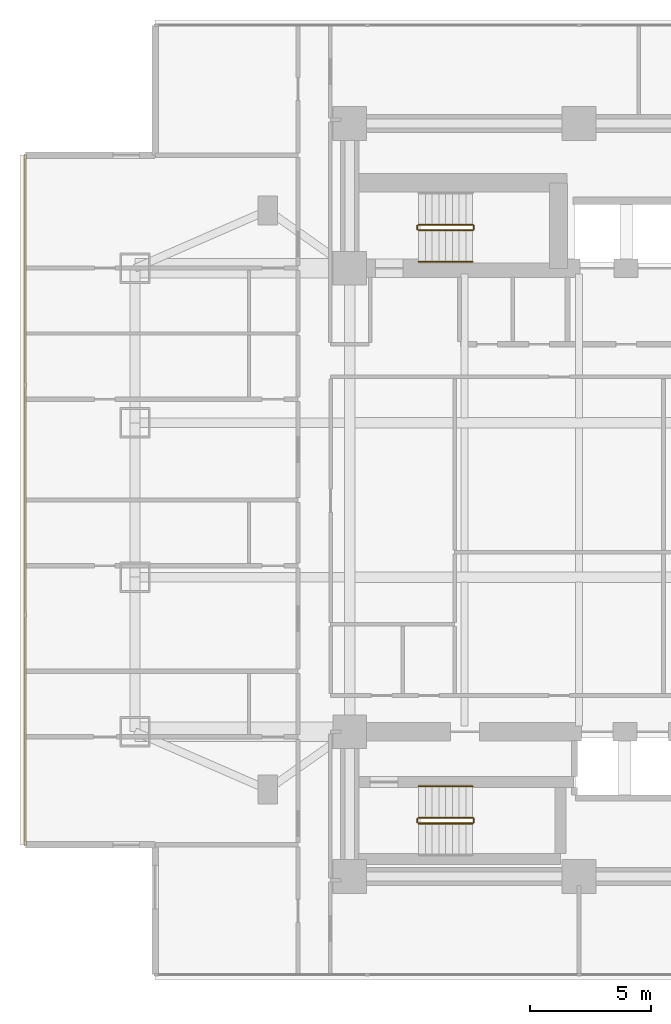
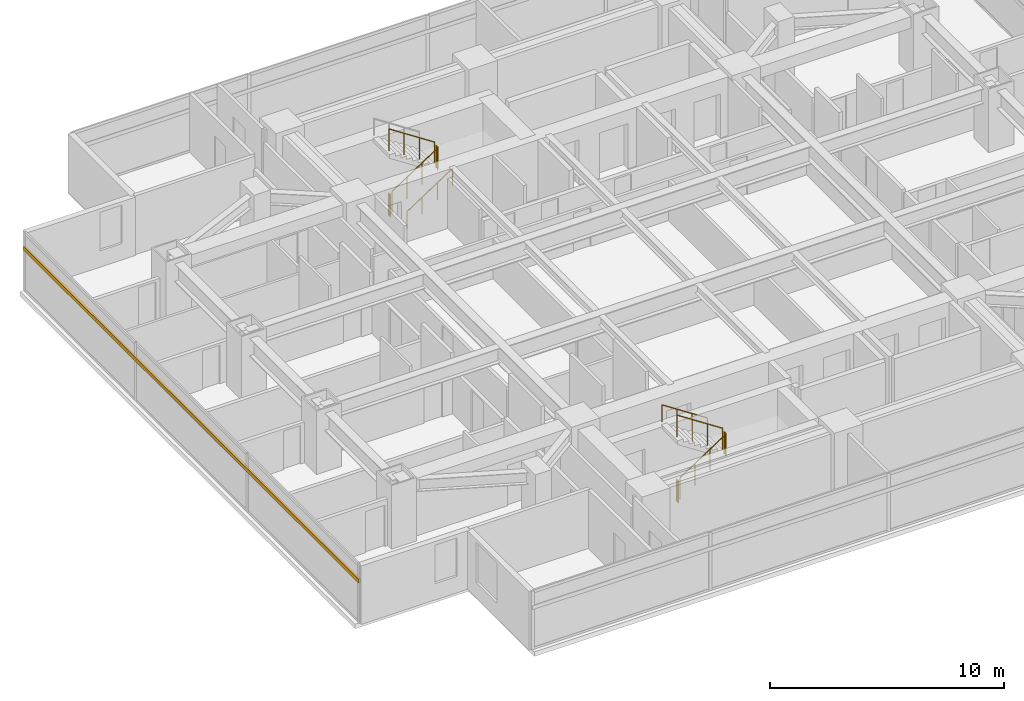
# One storey, part 23 of 26: 10 railings, 1 shading device.
"""IFC4 building model written with IfcOpenShell, lengths in metres."""

from ifc_helpers import new_model, si_unit, direction, frame, origin, origin_2d, place, context, subcontext, project, spatial, rectangle, circle, extrude, material, material_profile, profile_set, type_object, element, save


model = new_model("IFC4")

# Units and contexts
model_context = context("Model", 3, precision=1e-05, world=origin(), true_north=direction((0.0, 1.0)))
body_context = subcontext(model_context, "Body", "Model", "MODEL_VIEW")
ifc_project = project(units=[si_unit("LENGTHUNIT", "METRE"), si_unit("AREAUNIT", "SQUARE_METRE"), si_unit("VOLUMEUNIT", "CUBIC_METRE"), si_unit("PLANEANGLEUNIT", "RADIAN"), si_unit("MASSUNIT", "GRAM", prefix="KILO")], contexts=[model_context])

# Site, building, storey
site_placement = place(None, origin())
site = spatial("IfcSite", under=ifc_project, at=site_placement, CompositionType="ELEMENT")
building_placement = place(site_placement, origin())
building = spatial("IfcBuilding", under=site, at=building_placement, Name="Mirazonda Arch Towers", CompositionType="ELEMENT")
storey_placement = place(building_placement, frame((0.0, 0.0, 45.5)))
storey = spatial("IfcBuildingStorey", under=building, at=storey_placement, Name="L12", CompositionType="ELEMENT", Elevation=45.5)

# Shading device
ifc_material_1 = material(Name="Kiln-Fired Architectural Terracotta", Category="masonry")
ifc_material_profile = material_profile(ifc_material_1, rectangle(XDim=0.10009765625, YDim=0.199951171875, at=origin_2d()), Name="TERRA-BAG-100x200")
ifc_profile_set = profile_set([ifc_material_profile], Name="Kiln-Fired Architectural Terracotta")
shading_device_type = type_object("IfcShadingDeviceType", Name="BAGUETTE-2", PredefinedType="USERDEFINED", material=ifc_profile_set)
shading_device_placement = place(storey_placement, frame((-2.43994140625, 42.285888671875, 2.188720703125), z_axis=(0.0, -1.0, 0.0), x_axis=(1.0, 0.0, 0.0)))
element("IfcShadingDevice", 1, at=shading_device_placement, inside=storey, type_object=shading_device_type, Name="L12 Glazed Terracotta Sun-Screen Baguette CW-L12-T1-W", ObjectType="BAGUETTE", PredefinedType="USERDEFINED", context=body_context, shape_type="SweptSolid", body=[
    extrude(rectangle(XDim=0.10009765625, YDim=0.199951171875, at=origin_2d()), origin(), (0.0, 0.0, 1.0), 28.57177734375),
])

# Railings
ifc_material_2 = material(Name="Architectural Brushed Steel S355", Category="steel")
railing_type_1 = type_object("IfcRailingType", Name="GUARD-STAIR-1120", PredefinedType="GUARDRAIL", material=ifc_material_2)
railing_1_placement = place(storey_placement, frame((13.85009765625, 39.169921875, 0.183349609375)))
element("IfcRailing", 2, at=railing_1_placement, inside=storey, type_object=railing_type_1, Name="L12 ST-T1N stair guard 1", PredefinedType="GUARDRAIL", context=body_context, shape_type="SweptSolid", body=[
    extrude(circle(Radius=0.02392578125, at=origin_2d()), frame((0.0, 0.0, 1.1259765625), z_axis=(0.836636935527, 0.0, 0.547757827979), x_axis=(0.0, 1.0, 0.0)), (0.0, 0.0, 1.0), 2.677490234375),
    extrude(circle(Radius=0.02099609375, at=origin_2d()), origin(), (0.0, 0.0, 1.0), 1.101806640625),
    extrude(circle(Radius=0.02099609375, at=origin_2d()), frame((0.74658203125, 0.0, 0.48876953125)), (0.0, 0.0, 1.0), 1.101806640625),
    extrude(circle(Radius=0.02099609375, at=origin_2d()), frame((1.493408203125, 0.0, 0.977783203125)), (0.0, 0.0, 1.0), 1.101806640625),
    extrude(circle(Radius=0.02099609375, at=origin_2d()), frame((2.239990234375, 0.0, 1.466552734375)), (0.0, 0.0, 1.0), 1.101806640625),
])
railing_2_placement = place(storey_placement, frame((16.139892578125, 39.219970703125, 1.64990234375)))
element("IfcRailing", 3, at=railing_2_placement, inside=storey, type_object=railing_type_1, Name="L12 ST-T1N stair guard 2", PredefinedType="GUARDRAIL", context=body_context, shape_type="SweptSolid", body=[
    extrude(circle(Radius=0.02392578125, at=origin_2d()), frame((0.0, 0.0, 1.1259765625), z_axis=(0.0, 1.0, 0.0), x_axis=(-1.0, 0.0, 0.0)), (0.0, 0.0, 1.0), 0.14013671875),
    extrude(circle(Radius=0.02099609375, at=origin_2d()), origin(), (0.0, 0.0, 1.0), 1.101806640625),
    extrude(circle(Radius=0.02099609375, at=origin_2d()), frame((0.0, 0.14013671875, 0.0)), (0.0, 0.0, 1.0), 1.101806640625),
])
railing_3_placement = place(storey_placement, frame((16.090087890625, 39.409912109375, 1.833251953125)))
element("IfcRailing", 4, at=railing_3_placement, inside=storey, type_object=railing_type_1, Name="L12 ST-T1N stair guard 3", PredefinedType="GUARDRAIL", context=body_context, shape_type="SweptSolid", body=[
    extrude(circle(Radius=0.02392578125, at=origin_2d()), frame((0.0, 0.0, 1.1259765625), z_axis=(-0.836595146698, 0.0, 0.547821650285), x_axis=(0.0, -1.0, 0.0)), (0.0, 0.0, 1.0), 2.677490234375),
    extrude(circle(Radius=0.02099609375, at=origin_2d()), origin(), (0.0, 0.0, 1.0), 1.101806640625),
    extrude(circle(Radius=0.02099609375, at=origin_2d()), frame((-0.74658203125, 0.0, 0.489013671875)), (0.0, 0.0, 1.0), 1.101806640625),
    extrude(circle(Radius=0.02099609375, at=origin_2d()), frame((-1.493408203125, 0.0, 0.977783203125)), (0.0, 0.0, 1.0), 1.101806640625),
    extrude(circle(Radius=0.02099609375, at=origin_2d()), frame((-2.239990234375, 0.0, 1.466796875)), (0.0, 0.0, 1.0), 1.101806640625),
])
railing_4_placement = place(storey_placement, frame((13.800048828125, 39.219970703125, 0.0)))
element("IfcRailing", 5, at=railing_4_placement, inside=storey, type_object=railing_type_1, Name="L12 ST-T1N stair guard 4", PredefinedType="GUARDRAIL", context=body_context, shape_type="SweptSolid", body=[
    extrude(circle(Radius=0.02392578125, at=origin_2d()), frame((0.0, 0.0, 1.1259765625), z_axis=(0.0, 1.0, 0.0), x_axis=(-1.0, 0.0, 0.0)), (0.0, 0.0, 1.0), 0.14013671875),
    extrude(circle(Radius=0.02099609375, at=origin_2d()), origin(), (0.0, 0.0, 1.0), 1.101806640625),
    extrude(circle(Radius=0.02099609375, at=origin_2d()), frame((0.0, 0.14013671875, 0.0)), (0.0, 0.0, 1.0), 1.101806640625),
])
railing_5_placement = place(storey_placement, frame((13.85009765625, 14.60009765625, 0.183349609375)))
element("IfcRailing", 6, at=railing_5_placement, inside=storey, type_object=railing_type_1, Name="L12 ST-T1S stair guard 1", PredefinedType="GUARDRAIL", context=body_context, shape_type="SweptSolid", body=[
    extrude(circle(Radius=0.02392578125, at=origin_2d()), frame((0.0, 0.0, 1.1259765625), z_axis=(0.836636935527, 0.0, 0.547757827979), x_axis=(0.0, 1.0, 0.0)), (0.0, 0.0, 1.0), 2.677490234375),
    extrude(circle(Radius=0.02099609375, at=origin_2d()), origin(), (0.0, 0.0, 1.0), 1.101806640625),
    extrude(circle(Radius=0.02099609375, at=origin_2d()), frame((0.74658203125, 0.0, 0.48876953125)), (0.0, 0.0, 1.0), 1.101806640625),
    extrude(circle(Radius=0.02099609375, at=origin_2d()), frame((1.493408203125, 0.0, 0.977783203125)), (0.0, 0.0, 1.0), 1.101806640625),
    extrude(circle(Radius=0.02099609375, at=origin_2d()), frame((2.239990234375, 0.0, 1.466552734375)), (0.0, 0.0, 1.0), 1.101806640625),
])
railing_6_placement = place(storey_placement, frame((16.139892578125, 14.64990234375, 1.64990234375)))
element("IfcRailing", 7, at=railing_6_placement, inside=storey, type_object=railing_type_1, Name="L12 ST-T1S stair guard 2", PredefinedType="GUARDRAIL", context=body_context, shape_type="SweptSolid", body=[
    extrude(circle(Radius=0.02392578125, at=origin_2d()), frame((0.0, 0.0, 1.1259765625), z_axis=(0.0, 1.0, 0.0), x_axis=(-1.0, 0.0, 0.0)), (0.0, 0.0, 1.0), 0.14013671875),
    extrude(circle(Radius=0.02099609375, at=origin_2d()), origin(), (0.0, 0.0, 1.0), 1.101806640625),
    extrude(circle(Radius=0.02099609375, at=origin_2d()), frame((0.0, 0.14013671875, 0.0)), (0.0, 0.0, 1.0), 1.101806640625),
])
railing_7_placement = place(storey_placement, frame((16.090087890625, 14.840087890625, 1.833251953125)))
element("IfcRailing", 8, at=railing_7_placement, inside=storey, type_object=railing_type_1, Name="L12 ST-T1S stair guard 3", PredefinedType="GUARDRAIL", context=body_context, shape_type="SweptSolid", body=[
    extrude(circle(Radius=0.02392578125, at=origin_2d()), frame((0.0, 0.0, 1.1259765625), z_axis=(-0.836595146698, 0.0, 0.547821650285), x_axis=(0.0, -1.0, 0.0)), (0.0, 0.0, 1.0), 2.677490234375),
    extrude(circle(Radius=0.02099609375, at=origin_2d()), origin(), (0.0, 0.0, 1.0), 1.101806640625),
    extrude(circle(Radius=0.02099609375, at=origin_2d()), frame((-0.74658203125, 0.0, 0.489013671875)), (0.0, 0.0, 1.0), 1.101806640625),
    extrude(circle(Radius=0.02099609375, at=origin_2d()), frame((-1.493408203125, 0.0, 0.977783203125)), (0.0, 0.0, 1.0), 1.101806640625),
    extrude(circle(Radius=0.02099609375, at=origin_2d()), frame((-2.239990234375, 0.0, 1.466796875)), (0.0, 0.0, 1.0), 1.101806640625),
])
railing_8_placement = place(storey_placement, frame((13.800048828125, 14.64990234375, 0.0)))
element("IfcRailing", 9, at=railing_8_placement, inside=storey, type_object=railing_type_1, Name="L12 ST-T1S stair guard 4", PredefinedType="GUARDRAIL", context=body_context, shape_type="SweptSolid", body=[
    extrude(circle(Radius=0.02392578125, at=origin_2d()), frame((0.0, 0.0, 1.1259765625), z_axis=(0.0, 1.0, 0.0), x_axis=(-1.0, 0.0, 0.0)), (0.0, 0.0, 1.0), 0.14013671875),
    extrude(circle(Radius=0.02099609375, at=origin_2d()), origin(), (0.0, 0.0, 1.0), 1.101806640625),
    extrude(circle(Radius=0.02099609375, at=origin_2d()), frame((0.0, 0.14013671875, 0.0)), (0.0, 0.0, 1.0), 1.101806640625),
])
railing_type_2 = type_object("IfcRailingType", Name="HANDRAIL-915", PredefinedType="HANDRAIL", material=ifc_material_2)
railing_9_placement = place(storey_placement, frame((13.85009765625, 37.8701171875, 0.183349609375)))
element("IfcRailing", 10, at=railing_9_placement, inside=storey, type_object=railing_type_2, Name="L12 ST-T1N stair handrail 1", PredefinedType="HANDRAIL", context=body_context, shape_type="SweptSolid", body=[
    extrude(circle(Radius=0.02392578125, at=origin_2d()), frame((0.0, 0.0, 0.8759765625), z_axis=(0.836636935527, 0.0, 0.547757827979), x_axis=(0.0, 1.0, 0.0)), (0.0, 0.0, 1.0), 2.677490234375),
    extrude(circle(Radius=0.02099609375, at=origin_2d()), origin(), (0.0, 0.0, 1.0), 0.851806640625),
    extrude(circle(Radius=0.02099609375, at=origin_2d()), frame((0.74658203125, 0.0, 0.48876953125)), (0.0, 0.0, 1.0), 0.851806640625),
    extrude(circle(Radius=0.02099609375, at=origin_2d()), frame((1.493408203125, 0.0, 0.977783203125)), (0.0, 0.0, 1.0), 0.851806640625),
    extrude(circle(Radius=0.02099609375, at=origin_2d()), frame((2.239990234375, 0.0, 1.466552734375)), (0.0, 0.0, 1.0), 0.851806640625),
])
railing_10_placement = place(storey_placement, frame((16.090087890625, 16.139892578125, 1.833251953125)))
element("IfcRailing", 11, at=railing_10_placement, inside=storey, type_object=railing_type_2, Name="L12 ST-T1S stair handrail 2", PredefinedType="HANDRAIL", context=body_context, shape_type="SweptSolid", body=[
    extrude(circle(Radius=0.02392578125, at=origin_2d()), frame((0.0, 0.0, 0.8759765625), z_axis=(-0.836595146698, 0.0, 0.547821650285), x_axis=(0.0, -1.0, 0.0)), (0.0, 0.0, 1.0), 2.677490234375),
    extrude(circle(Radius=0.02099609375, at=origin_2d()), origin(), (0.0, 0.0, 1.0), 0.851806640625),
    extrude(circle(Radius=0.02099609375, at=origin_2d()), frame((-0.74658203125, 0.0, 0.489013671875)), (0.0, 0.0, 1.0), 0.851806640625),
    extrude(circle(Radius=0.02099609375, at=origin_2d()), frame((-1.493408203125, 0.0, 0.977783203125)), (0.0, 0.0, 1.0), 0.851806640625),
    extrude(circle(Radius=0.02099609375, at=origin_2d()), frame((-2.239990234375, 0.0, 1.466796875)), (0.0, 0.0, 1.0), 0.851806640625),
])

save(model, "model.ifc")
